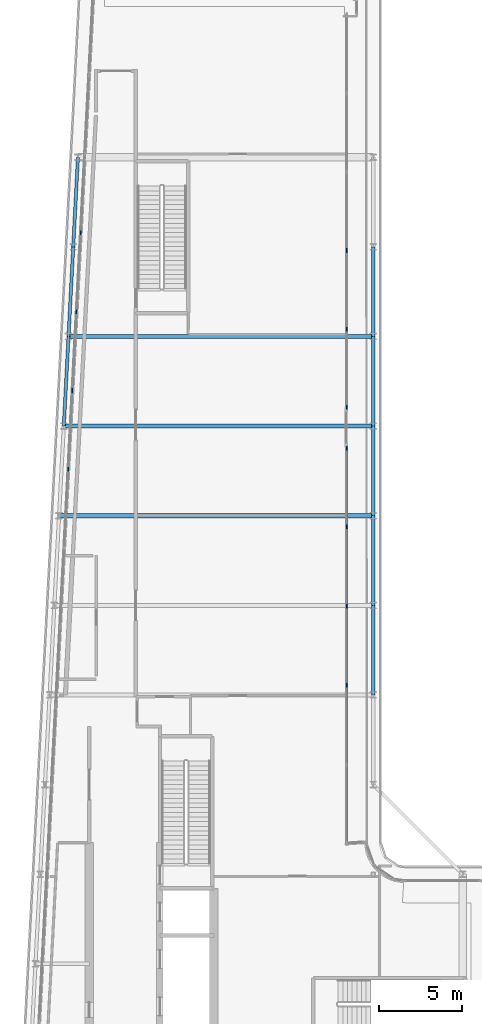
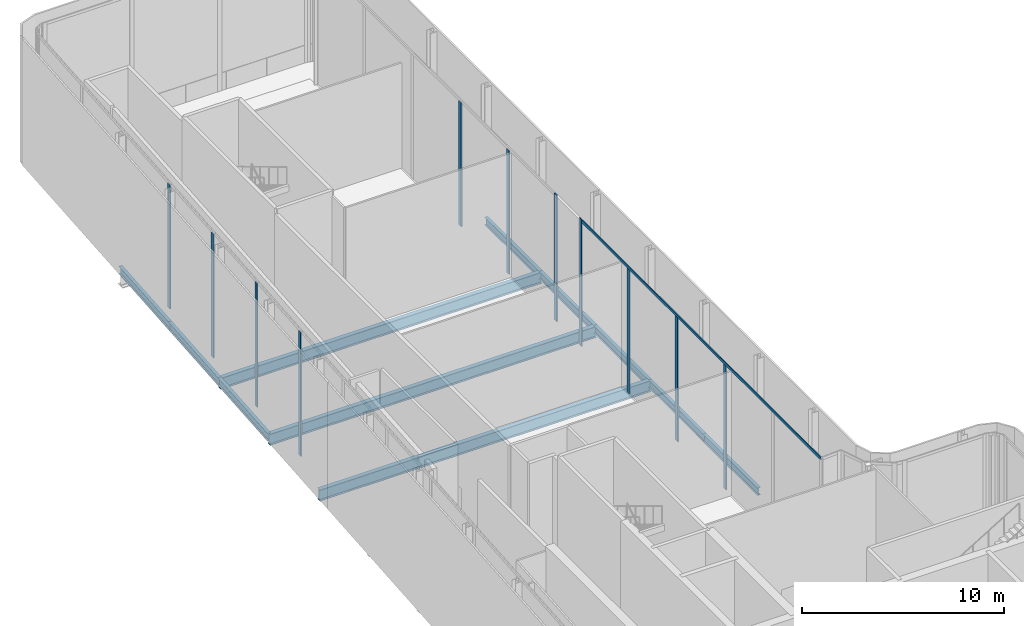
# One storey, part 7 of 23: 12 members, 11 beams, 3 elements without a shape of their own.
"""IFC4 building model written with IfcOpenShell, lengths in metres."""

from ifc_helpers import new_model, si_unit, direction, frame, origin, origin_2d, place, context, subcontext, project, spatial, rectangle, i_section, extrude, material, layer, layer_set, material_profile, profile_set, type_object, element, aggregate, save


model = new_model("IFC4")

# Units and contexts
model_context = context("Model", 3, precision=1e-05, world=origin(), true_north=direction((0.0, 1.0)))
body_context = subcontext(model_context, "Body", "Model", "MODEL_VIEW")
ifc_project = project(units=[si_unit("LENGTHUNIT", "METRE"), si_unit("AREAUNIT", "SQUARE_METRE"), si_unit("VOLUMEUNIT", "CUBIC_METRE"), si_unit("PLANEANGLEUNIT", "RADIAN"), si_unit("MASSUNIT", "GRAM", prefix="KILO")], contexts=[model_context])

# Site, building, storey
site_placement = place(None, origin())
site = spatial("IfcSite", under=ifc_project, at=site_placement, CompositionType="ELEMENT")
building_placement = place(site_placement, origin())
building = spatial("IfcBuilding", under=site, at=building_placement, Name="Kheshtan School and Residences Tower", CompositionType="ELEMENT")
storey_placement = place(building_placement, frame((0.0, 0.0, 389.0)))
storey = spatial("IfcBuildingStorey", under=building, at=storey_placement, Name="L92", CompositionType="ELEMENT", Elevation=389.0)

# Beams
ifc_material_1 = material(Name="Steel ASTM A992 Grade 50", Category="steel")
ifc_material_profile_1 = material_profile(ifc_material_1, i_section(OverallWidth=0.2529296875, OverallDepth=0.677978515625, WebThickness=0.01171875, FlangeThickness=0.016357421875, FilletRadius=0.0146484375, at=origin_2d()), Name="W690x125")
ifc_profile_set_1 = profile_set([ifc_material_profile_1], Name="Steel ASTM A992 Grade 50")
beam_type_1 = type_object("IfcBeamType", Name="Beam FB6 W690x125 ASTM A992 Grade 50", PredefinedType="BEAM", material=ifc_profile_set_1)
beam_1_placement = place(storey_placement, frame((47.60009765625, 78.0, -0.489013671875), z_axis=(-1.0, 0.0, 0.0), x_axis=(0.0, -1.0, 0.0)))
element("IfcBeam", 1, at=beam_1_placement, inside=storey, type_object=beam_type_1, Name="Floor beam C089", PredefinedType="BEAM", context=body_context, shape_type="SweptSolid", body=[
    extrude(i_section(OverallWidth=0.2529296875, OverallDepth=0.677978515625, WebThickness=0.01171875, FlangeThickness=0.016357421875, FilletRadius=0.0146484375, at=origin_2d()), origin(), (0.0, 0.0, 1.0), 18.357177734375),
])
beam_2_placement = place(storey_placement, frame((47.60009765625, 67.199951171875, -0.489013671875), z_axis=(-1.0, 0.0, 0.0), x_axis=(0.0, -1.0, 0.0)))
element("IfcBeam", 2, at=beam_2_placement, inside=storey, type_object=beam_type_1, Name="Floor beam C085", PredefinedType="BEAM", context=body_context, shape_type="SweptSolid", body=[
    extrude(i_section(OverallWidth=0.2529296875, OverallDepth=0.677978515625, WebThickness=0.01171875, FlangeThickness=0.016357421875, FilletRadius=0.0146484375, at=origin_2d()), origin(), (0.0, 0.0, 1.0), 18.926025390625),
])
beam_3_placement = place(storey_placement, frame((28.9580078125, 72.60009765625, -0.489013671875), z_axis=(1.0, 0.0, 0.0), x_axis=(0.0, 1.0, 0.0)))
element("IfcBeam", 3, at=beam_3_placement, inside=storey, type_object=beam_type_1, Name="Floor beam C086", PredefinedType="BEAM", context=body_context, shape_type="SweptSolid", body=[
    extrude(i_section(OverallWidth=0.2529296875, OverallDepth=0.677978515625, WebThickness=0.01171875, FlangeThickness=0.016357421875, FilletRadius=0.0146484375, at=origin_2d()), origin(), (0.0, 0.0, 1.0), 18.64208984375),
])
ifc_material_profile_2 = material_profile(ifc_material_1, i_section(OverallWidth=0.18994140625, OverallDepth=0.45703125, WebThickness=0.009033203125, FlangeThickness=0.014404296875, FilletRadius=0.01318359375, at=origin_2d()), Name="W460x74")
ifc_profile_set_2 = profile_set([ifc_material_profile_2], Name="Steel ASTM A992 Grade 50")
beam_type_2 = type_object("IfcBeamType", Name="Beam SP4 W460x74 ASTM A992 Grade 50", PredefinedType="BEAM", material=ifc_profile_set_2)
for number, where, z_axis, x_axis, name in (
    (4, (47.60009765625, 83.39990234375, -0.37841796875), (0.0, -1.0, 0.0), (1.0, 0.0, 0.0), "Spandrel beam C091-C089"),
    (5, (47.60009765625, 78.0, -0.37841796875), (0.0, -1.0, 0.0), (1.0, 0.0, 0.0), "Spandrel beam C089-C087"),
):
    element("IfcBeam", number, at=place(storey_placement, frame(where, z_axis=z_axis, x_axis=x_axis)), inside=storey, type_object=beam_type_2, Name=name, PredefinedType="BEAM", context=body_context, shape_type="SweptSolid", body=[
        extrude(i_section(OverallWidth=0.18994140625, OverallDepth=0.45703125, WebThickness=0.009033203125, FlangeThickness=0.014404296875, FilletRadius=0.01318359375, at=origin_2d()), origin(), (0.0, 0.0, 1.0), 5.39990234375),
    ])
beam_4_placement = place(storey_placement, frame((47.60009765625, 72.60009765625, -0.37841796875), z_axis=(0.0, -1.0, 0.0), x_axis=(1.0, 0.0, 0.0)))
element("IfcBeam", 6, at=beam_4_placement, inside=storey, type_object=beam_type_2, Name="Spandrel beam C087-C085", PredefinedType="BEAM", context=body_context, shape_type="SweptSolid", body=[
    extrude(i_section(OverallWidth=0.18994140625, OverallDepth=0.45703125, WebThickness=0.009033203125, FlangeThickness=0.014404296875, FilletRadius=0.01318359375, at=origin_2d()), origin(), (0.0, 0.0, 1.0), 5.400146484375),
])
beam_5_placement = place(storey_placement, frame((47.60009765625, 67.199951171875, -0.37841796875), z_axis=(0.0, -1.0, 0.0), x_axis=(1.0, 0.0, 0.0)))
element("IfcBeam", 7, at=beam_5_placement, inside=storey, type_object=beam_type_2, Name="Spandrel beam C085-C083", PredefinedType="BEAM", context=body_context, shape_type="SweptSolid", body=[
    extrude(i_section(OverallWidth=0.18994140625, OverallDepth=0.45703125, WebThickness=0.009033203125, FlangeThickness=0.014404296875, FilletRadius=0.01318359375, at=origin_2d()), origin(), (0.0, 0.0, 1.0), 5.39990234375),
])
beam_6_placement = place(storey_placement, frame((47.60009765625, 61.800048828125, -0.37841796875), z_axis=(0.0, -1.0, 0.0), x_axis=(1.0, 0.0, 0.0)))
element("IfcBeam", 8, at=beam_6_placement, inside=storey, type_object=beam_type_2, Name="Spandrel beam C083-C081", PredefinedType="BEAM", context=body_context, shape_type="SweptSolid", body=[
    extrude(i_section(OverallWidth=0.18994140625, OverallDepth=0.45703125, WebThickness=0.009033203125, FlangeThickness=0.014404296875, FilletRadius=0.01318359375, at=origin_2d()), origin(), (0.0, 0.0, 1.0), 5.400146484375),
])
for number, where, z_axis, x_axis, name in (
    (9, (28.9580078125, 72.60009765625, -0.37841796875), (0.052689166816, 0.998610961136, 0.0), (-0.998610961136, 0.052689166816, 0.0), "Spandrel beam C086-C088"),
    (10, (29.242919921875, 78.0, -0.37841796875), (0.052554093665, 0.998618078766, 0.0), (-0.998618078766, 0.052554093665, 0.0), "Spandrel beam C088-C090"),
):
    element("IfcBeam", number, at=place(storey_placement, frame(where, z_axis=z_axis, x_axis=x_axis)), inside=storey, type_object=beam_type_2, Name=name, PredefinedType="BEAM", context=body_context, shape_type="SweptSolid", body=[
        extrude(i_section(OverallWidth=0.18994140625, OverallDepth=0.45703125, WebThickness=0.009033203125, FlangeThickness=0.014404296875, FilletRadius=0.01318359375, at=origin_2d()), origin(), (0.0, 0.0, 1.0), 5.407470703125),
    ])
beam_7_placement = place(storey_placement, frame((29.527099609375, 83.39990234375, -0.37841796875), z_axis=(0.05250670125, 0.998620571751, 0.0), x_axis=(-0.998620571751, 0.05250670125, 0.0)))
element("IfcBeam", 11, at=beam_7_placement, inside=storey, type_object=beam_type_2, Name="Spandrel beam C090-C098", PredefinedType="BEAM", context=body_context, shape_type="SweptSolid", body=[
    extrude(i_section(OverallWidth=0.18994140625, OverallDepth=0.45703125, WebThickness=0.009033203125, FlangeThickness=0.014404296875, FilletRadius=0.01318359375, at=origin_2d()), origin(), (0.0, 0.0, 1.0), 5.40771484375),
])

# Curtain wall, members
ifc_material_2 = material(Name="Clear low-e glass in thermally broken aluminium frame", Category="aluminium")
ifc_layer_1 = layer(ifc_material_2, 0.25)
ifc_layer_set_1 = layer_set([ifc_layer_1], Name="Curtain wall CW-G")
curtain_wall_type_1 = type_object("IfcCurtainWallType", Name="Curtain wall CW-G", PredefinedType="NOTDEFINED", material=ifc_layer_set_1)
curtain_wall_1_placement = place(storey_placement, origin())
curtain_wall_1 = element("IfcCurtainWall", 12, at=curtain_wall_1_placement, inside=storey, type_object=curtain_wall_type_1, Name="Curtain wall CWG19b", PredefinedType="NOTDEFINED")
ifc_material_3 = material(Name="Thermally broken aluminium, dark bronze anodised", Category="aluminium")
ifc_material_profile_3 = material_profile(ifc_material_3, rectangle(XDim=0.06005859375, YDim=0.25, at=origin_2d()), Name="CW-G mullion 60x250")
ifc_profile_set_3 = profile_set([ifc_material_profile_3], Name="Thermally broken aluminium, dark bronze anodised")
member_type_1 = type_object("IfcMemberType", Name="CW-G mullion 60x250", PredefinedType="MULLION", material=ifc_profile_set_3)
member_1_placement = place(storey_placement, frame((46.0, 83.179931640625, 0.0), z_axis=(0.0, 0.0, 1.0), x_axis=(1.0, 0.0, 0.0)))
member_1 = element("IfcMember", 13, at=member_1_placement, type_object=member_type_1, Name="CWG19b mullion 4", PredefinedType="MULLION", context=body_context, shape_type="SweptSolid", body=[
    extrude(rectangle(XDim=0.06005859375, YDim=0.25, at=origin_2d()), origin(), (0.0, 0.0, 1.0), 7.489990234375),
])
member_2_placement = place(storey_placement, frame((46.0, 78.43994140625, 0.0), z_axis=(0.0, 0.0, 1.0), x_axis=(1.0, 0.0, 0.0)))
member_2 = element("IfcMember", 14, at=member_2_placement, type_object=member_type_1, Name="CWG19b mullion 5", PredefinedType="MULLION", context=body_context, shape_type="SweptSolid", body=[
    extrude(rectangle(XDim=0.06005859375, YDim=0.25, at=origin_2d()), origin(), (0.0, 0.0, 1.0), 7.489990234375),
])
member_3_placement = place(storey_placement, frame((46.0, 73.72998046875, 0.0), z_axis=(0.0, 0.0, 1.0), x_axis=(1.0, 0.0, 0.0)))
member_3 = element("IfcMember", 15, at=member_3_placement, type_object=member_type_1, Name="CWG19b mullion 6", PredefinedType="MULLION", context=body_context, shape_type="SweptSolid", body=[
    extrude(rectangle(XDim=0.06005859375, YDim=0.25, at=origin_2d()), origin(), (0.0, 0.0, 1.0), 7.64990234375),
])
aggregate(curtain_wall_1, [member_1, member_2, member_3])

curtain_wall_2_placement = place(storey_placement, origin())
curtain_wall_2 = element("IfcCurtainWall", 16, at=curtain_wall_2_placement, inside=storey, type_object=curtain_wall_type_1, Name="Curtain wall CWG19c", PredefinedType="NOTDEFINED")
member_4_placement = place(storey_placement, frame((46.0, 71.27001953125, 0.0), z_axis=(0.0, 0.0, 1.0), x_axis=(1.0, 0.0, 0.0)))
member_4 = element("IfcMember", 17, at=member_4_placement, type_object=member_type_1, Name="CWG19c mullion 1", PredefinedType="MULLION", context=body_context, shape_type="SweptSolid", body=[
    extrude(rectangle(XDim=0.06005859375, YDim=0.25, at=origin_2d()), origin(), (0.0, 0.0, 1.0), 7.64990234375),
])
member_5_placement = place(storey_placement, frame((46.0, 66.52587890625, 0.0), z_axis=(0.0, 0.0, 1.0), x_axis=(1.0, 0.0, 0.0)))
member_5 = element("IfcMember", 18, at=member_5_placement, type_object=member_type_1, Name="CWG19c mullion 2", PredefinedType="MULLION", context=body_context, shape_type="SweptSolid", body=[
    extrude(rectangle(XDim=0.06005859375, YDim=0.25, at=origin_2d()), origin(), (0.0, 0.0, 1.0), 7.489990234375),
])
member_6_placement = place(storey_placement, frame((46.0, 61.751953125, 0.0), z_axis=(0.0, 0.0, 1.0), x_axis=(1.0, 0.0, 0.0)))
member_6 = element("IfcMember", 19, at=member_6_placement, type_object=member_type_1, Name="CWG19c mullion 3", PredefinedType="MULLION", context=body_context, shape_type="SweptSolid", body=[
    extrude(rectangle(XDim=0.06005859375, YDim=0.25, at=origin_2d()), origin(), (0.0, 0.0, 1.0), 7.489990234375),
])
member_7_placement = place(storey_placement, frame((46.0, 56.97802734375, 0.0), z_axis=(0.0, 0.0, 1.0), x_axis=(1.0, 0.0, 0.0)))
member_7 = element("IfcMember", 20, at=member_7_placement, type_object=member_type_1, Name="CWG19c mullion 4", PredefinedType="MULLION", context=body_context, shape_type="SweptSolid", body=[
    extrude(rectangle(XDim=0.06005859375, YDim=0.25, at=origin_2d()), origin(), (0.0, 0.0, 1.0), 7.489990234375),
])
ifc_material_profile_4 = material_profile(ifc_material_3, rectangle(XDim=0.06005859375, YDim=0.159912109375, at=origin_2d()), Name="CW-G transom 60x160")
ifc_profile_set_4 = profile_set([ifc_material_profile_4], Name="Thermally broken aluminium, dark bronze anodised")
member_type_2 = type_object("IfcMemberType", Name="CW-G transom 60x160", PredefinedType="USERDEFINED", material=ifc_profile_set_4)
member_8_placement = place(storey_placement, frame((46.0, 71.239990234375, 7.570068359375), z_axis=(0.0, -1.0, 0.0), x_axis=(1.0, 0.0, 0.0)))
member_8 = element("IfcMember", 21, at=member_8_placement, type_object=member_type_2, Name="CWG19c transom 1", ObjectType="TRANSOM", PredefinedType="USERDEFINED", context=body_context, shape_type="SweptSolid", body=[
    extrude(rectangle(XDim=0.06005859375, YDim=0.159912109375, at=origin_2d()), origin(), (0.0, 0.0, 1.0), 23.75),
])
aggregate(curtain_wall_2, [member_4, member_5, member_6, member_7, member_8])

ifc_layer_2 = layer(ifc_material_2, 0.25)
ifc_layer_set_2 = layer_set([ifc_layer_2], Name="Curtain wall CW-K")
curtain_wall_type_2 = type_object("IfcCurtainWallType", Name="Curtain wall CW-K", PredefinedType="NOTDEFINED", material=ifc_layer_set_2)
curtain_wall_3_placement = place(storey_placement, origin())
curtain_wall_3 = element("IfcCurtainWall", 22, at=curtain_wall_3_placement, inside=storey, type_object=curtain_wall_type_2, Name="Curtain wall CWK10a", PredefinedType="NOTDEFINED")
ifc_material_profile_5 = material_profile(ifc_material_3, rectangle(XDim=0.06005859375, YDim=0.25, at=origin_2d()), Name="CW-K mullion 60x250")
ifc_profile_set_5 = profile_set([ifc_material_profile_5], Name="Thermally broken aluminium, dark bronze anodised")
member_type_3 = type_object("IfcMemberType", Name="CW-K mullion 60x250", PredefinedType="MULLION", material=ifc_profile_set_5)
member_9_placement = place(storey_placement, frame((29.22119140625, 69.993408203125, 0.0), z_axis=(0.0, 0.0, 1.0), x_axis=(-0.998617497599, 0.05256513568, 0.0)))
member_9 = element("IfcMember", 23, at=member_9_placement, type_object=member_type_3, Name="CWK10a mullion 9", PredefinedType="MULLION", context=body_context, shape_type="SweptSolid", body=[
    extrude(rectangle(XDim=0.06005859375, YDim=0.25, at=origin_2d()), origin(), (0.0, 0.0, 1.0), 7.489990234375),
])
member_10_placement = place(storey_placement, frame((29.471435546875, 74.74560546875, 0.0), z_axis=(0.0, 0.0, 1.0), x_axis=(-0.998617497599, 0.05256513568, 0.0)))
member_10 = element("IfcMember", 24, at=member_10_placement, type_object=member_type_3, Name="CWK10a mullion 10", PredefinedType="MULLION", context=body_context, shape_type="SweptSolid", body=[
    extrude(rectangle(XDim=0.06005859375, YDim=0.25, at=origin_2d()), origin(), (0.0, 0.0, 1.0), 7.489990234375),
])
member_11_placement = place(storey_placement, frame((29.7216796875, 79.497802734375, 0.0), z_axis=(0.0, 0.0, 1.0), x_axis=(-0.998617497599, 0.05256513568, 0.0)))
member_11 = element("IfcMember", 25, at=member_11_placement, type_object=member_type_3, Name="CWK10a mullion 11", PredefinedType="MULLION", context=body_context, shape_type="SweptSolid", body=[
    extrude(rectangle(XDim=0.06005859375, YDim=0.25, at=origin_2d()), origin(), (0.0, 0.0, 1.0), 7.489990234375),
])
member_12_placement = place(storey_placement, frame((29.9716796875, 84.249755859375, 0.0), z_axis=(0.0, 0.0, 1.0), x_axis=(-0.998617497599, 0.05256513568, 0.0)))
member_12 = element("IfcMember", 26, at=member_12_placement, type_object=member_type_3, Name="CWK10a mullion 12", PredefinedType="MULLION", context=body_context, shape_type="SweptSolid", body=[
    extrude(rectangle(XDim=0.06005859375, YDim=0.25, at=origin_2d()), origin(), (0.0, 0.0, 1.0), 7.489990234375),
])
aggregate(curtain_wall_3, [member_9, member_10, member_11, member_12])

save(model, "model.ifc")
